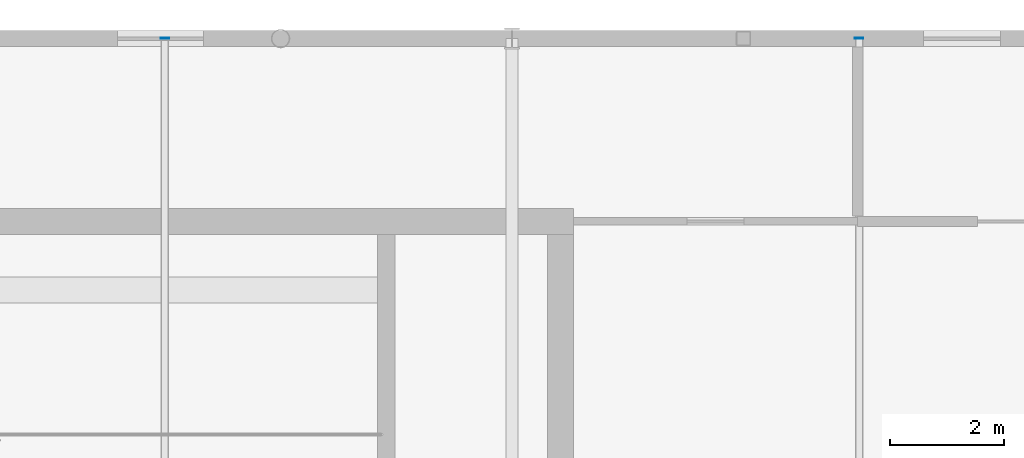
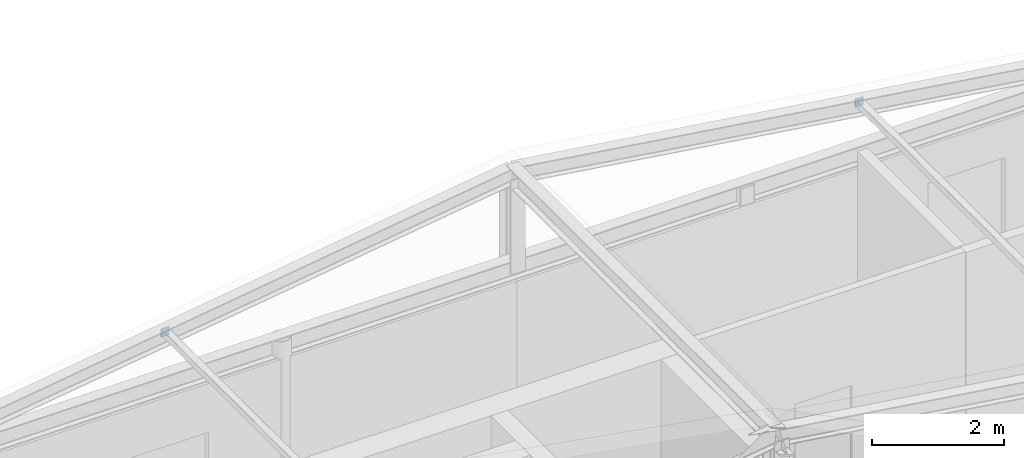
# One storey, part 17 of 21: 2 plates.
"""IFC4 building model written with IfcOpenShell, lengths in metres."""

from ifc_helpers import new_model, si_unit, direction, frame, origin, origin_2d, place, context, subcontext, project, spatial, rectangle, extrude, material, layer, layer_set, type_object, element, save


model = new_model("IFC4")

# Units and contexts
model_context = context("Model", 3, precision=1e-05, world=origin(), true_north=direction((0.0, 1.0)))
body_context = subcontext(model_context, "Body", "Model", "MODEL_VIEW")
ifc_project = project(units=[si_unit("LENGTHUNIT", "METRE"), si_unit("AREAUNIT", "SQUARE_METRE"), si_unit("VOLUMEUNIT", "CUBIC_METRE"), si_unit("PLANEANGLEUNIT", "RADIAN"), si_unit("MASSUNIT", "GRAM", prefix="KILO")], contexts=[model_context])

# Site, building, storey
site_placement = place(None, origin())
site = spatial("IfcSite", under=ifc_project, at=site_placement, CompositionType="ELEMENT")
building_placement = place(site_placement, origin())
building = spatial("IfcBuilding", under=site, at=building_placement, Name="Tarnveldt Square Police Headquarters", CompositionType="ELEMENT")
storey_placement = place(building_placement, frame((0.0, 0.0, 33.300048828125)))
storey = spatial("IfcBuildingStorey", under=building, at=storey_placement, Name="L07", CompositionType="ELEMENT", Elevation=33.300048828125)

# Plates
ifc_material = material(Name="Steel 350W", Category="steel")
ifc_layer = layer(ifc_material, 0.011962890625)
ifc_layer_set = layer_set([ifc_layer], Name="Steel 350W")
plate_type = type_object("IfcPlateType", Name="PLT-CAP-12B", PredefinedType="USERDEFINED", material=ifc_layer_set)
for number, where, z_axis, x_axis, name in (
    (1, (22.27490234375, 112.006103515625, 4.68505859375), (0.0, 0.0, 1.0), (1.0, 0.0, 0.0), "L07 Pitched Roof Purlin W North End Cap Plate"),
    (2, (34.425048828125, 112.006103515625, 4.68505859375), (0.0, 0.0, 1.0), (1.0, 0.0, 0.0), "L07 Pitched Roof Purlin E North End Cap Plate"),
):
    element("IfcPlate", number, at=place(storey_placement, frame(where, z_axis=z_axis, x_axis=x_axis)), inside=storey, type_object=plate_type, Name=name, ObjectType="END CAP PLATE", PredefinedType="USERDEFINED", context=body_context, shape_type="SweptSolid", body=[
        extrude(rectangle(XDim=0.14990234375, YDim=0.011962890625, at=origin_2d()), origin(), (0.0, 0.0, 1.0), 0.14990234375),
    ])

save(model, "model.ifc")
